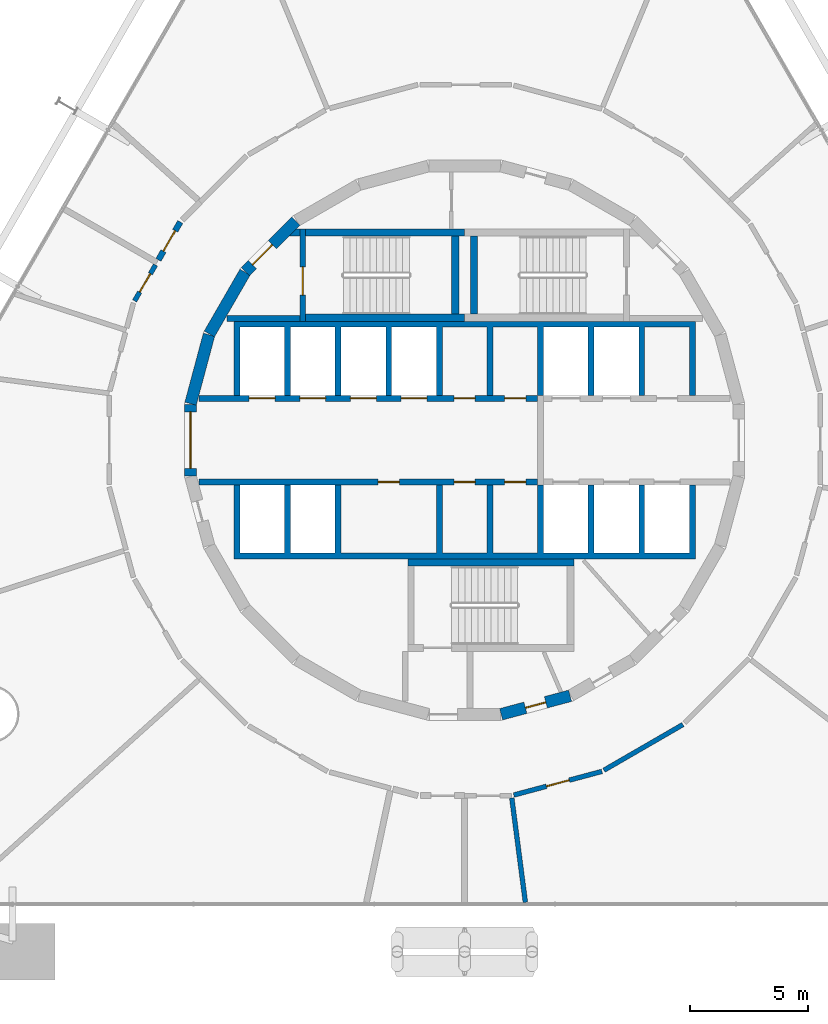
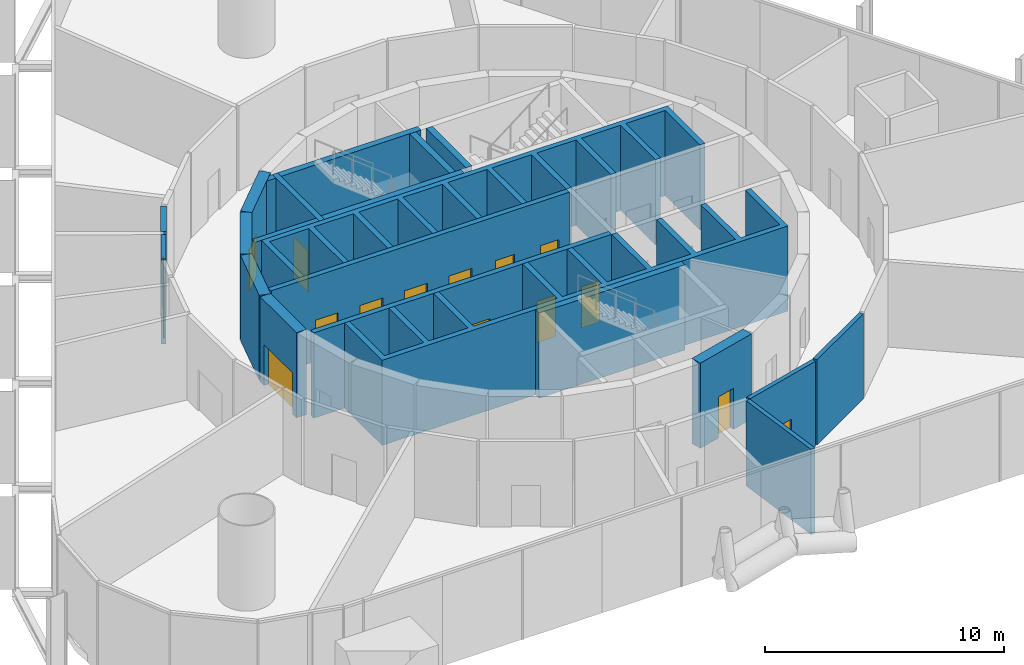
# One storey, part 14 of 17: 22 walls, 16 doors, 16 openings.
"""IFC4 building model written with IfcOpenShell, lengths in metres."""

import ifcopenshell
import ifcopenshell.guid

model = None  # the IFC model being written
_history = None  # IfcOwnerHistory: only IFC2X3 demands one
_inside = {}  # id of a spatial element -> (the spatial element, [elements in it])
_under = {}  # id of a project, library or spatial element -> (it, [spatial elements below it])
_declared = {}  # id of a project -> (the project, [libraries it declares])
_typed = {}  # id of a type object -> (the type object, [elements of that type])
_made_of = {}  # id of a material, layer set ... -> (it, [elements and type objects made of it])


def new_model(schema):
    """Start an empty IFC model of exactly this schema.

    Asked for "IFC4X3", IfcOpenShell would pick the latest addendum, in which some entities
    have other attributes; the version numbers below select the first issue.
    IFC2X3 requires an IfcOwnerHistory on every rooted entity: one is made here for all.
    """
    global model, _history
    if schema == "IFC4X3":
        model = ifcopenshell.file(schema_version=(4, 3, 0, 0))
    else:
        model = ifcopenshell.file(schema=schema)
    _inside.clear()
    _under.clear()
    _declared.clear()
    _typed.clear()
    _made_of.clear()
    _history = None
    if model.schema == "IFC2X3":
        org = make("IfcOrganization", Name="unknown")
        user = make(
            "IfcPersonAndOrganization",
            ThePerson=make("IfcPerson", FamilyName="unknown"),
            TheOrganization=org,
        )
        app = make(
            "IfcApplication",
            ApplicationDeveloper=org,
            Version="unknown",
            ApplicationFullName="unknown",
            ApplicationIdentifier="unknown",
        )
        _history = make(
            "IfcOwnerHistory",
            OwningUser=user,
            OwningApplication=app,
            ChangeAction="ADDED",
            CreationDate=0,
        )
    return model


def make(cls, **values):
    """One entity of the class cls with the attributes given. An attribute that is None is left unset."""
    return model.create_entity(
        cls, **{name: value for name, value in values.items() if value is not None}
    )


def rooted(cls, **values):
    """An entity with a GlobalId (a new one), such as an element, a storey or a relation."""
    return make(cls, GlobalId=ifcopenshell.guid.new(), OwnerHistory=_history, **values)


def si_unit(unit_type, name, prefix=None):
    """IfcSIUnit, for example si_unit("LENGTHUNIT", "METRE", prefix="MILLI")."""
    return make("IfcSIUnit", UnitType=unit_type, Prefix=prefix, Name=name)


def assignment(units):
    """IfcUnitAssignment: the units of a project."""
    return None if units is None else make("IfcUnitAssignment", Units=units)


def point(xyz):
    """IfcCartesianPoint."""
    return None if xyz is None else make("IfcCartesianPoint", Coordinates=xyz)


def direction(xyz):
    """IfcDirection."""
    return None if xyz is None else make("IfcDirection", DirectionRatios=xyz)


def frame(location, z_axis=None, x_axis=None):
    """IfcAxis2Placement3D, a coordinate frame: its origin and axes. An axis left out is left unset."""
    return make(
        "IfcAxis2Placement3D",
        Location=point(location),
        Axis=direction(z_axis),
        RefDirection=direction(x_axis),
    )


def frame_2d(location, x_axis=None):
    """IfcAxis2Placement2D, a coordinate frame in the plane: its origin and x axis."""
    return make(
        "IfcAxis2Placement2D", Location=point(location), RefDirection=direction(x_axis)
    )


def origin():
    """The frame at (0, 0, 0) with its axes left unset."""
    return frame((0.0, 0.0, 0.0))


def place(relative_to, where):
    """IfcLocalPlacement: puts the frame where relative to a parent placement (None: the world)."""
    return make(
        "IfcLocalPlacement", PlacementRelTo=relative_to, RelativePlacement=where
    )


def context(
    kind, dimensions, precision=None, world=None, true_north=None, identifier=None
):
    """IfcGeometricRepresentationContext, for example the 3D "Model" context."""
    return make(
        "IfcGeometricRepresentationContext",
        ContextIdentifier=identifier,
        ContextType=kind,
        CoordinateSpaceDimension=dimensions,
        Precision=precision,
        WorldCoordinateSystem=world,
        TrueNorth=true_north,
    )


def subcontext(parent, identifier, kind, view, scale=None):
    """IfcGeometricRepresentationSubContext, for example "Body" below "Model"."""
    return make(
        "IfcGeometricRepresentationSubContext",
        ContextIdentifier=identifier,
        ContextType=kind,
        ParentContext=parent,
        TargetScale=scale,
        TargetView=view,
    )


def project(units=None, contexts=None):
    """IfcProject with its units and contexts."""
    return rooted(
        "IfcProject",
        Name="project",
        RepresentationContexts=contexts,
        UnitsInContext=assignment(units),
    )


def spatial(cls, under=None, at=None, **own):
    """A site, building, storey or space (cls), placed at a placement, below another one or the project."""
    s = rooted(cls, ObjectPlacement=at, **own)
    if under is not None:
        _under.setdefault(under.id(), (under, []))[1].append(s)
    return s


def polyline(points):
    """IfcPolyline through the points."""
    return make("IfcPolyline", Points=[point(p) for p in points])


def profile(cls, at=None, kind="AREA", **sizes):
    """A parametric profile (cls). Its sizes go by their IFC names, for example OverallWidth=200.0."""
    return make(cls, ProfileType=kind, Position=at, **sizes)


def rectangle(**sizes):
    """IfcRectangleProfileDef."""
    return profile("IfcRectangleProfileDef", **sizes)


def outline(outer, holes=None, kind="AREA"):
    """IfcArbitraryClosedProfileDef: a profile drawn as a closed curve; with holes, ...WithVoids."""
    if holes is None:
        return make("IfcArbitraryClosedProfileDef", ProfileType=kind, OuterCurve=outer)
    return make(
        "IfcArbitraryProfileDefWithVoids",
        ProfileType=kind,
        OuterCurve=outer,
        InnerCurves=holes,
    )


def extrude(swept, where, along, depth):
    """IfcExtrudedAreaSolid: the profile swept, set in the frame where, extruded along a direction by depth."""
    return make(
        "IfcExtrudedAreaSolid",
        SweptArea=swept,
        Position=where,
        ExtrudedDirection=direction(along),
        Depth=depth,
    )


def shape(context_of_items, identifier, shape_type, items):
    """IfcShapeRepresentation: the items that make up one representation, for example the "Body"."""
    return make(
        "IfcShapeRepresentation",
        ContextOfItems=context_of_items,
        RepresentationIdentifier=identifier,
        RepresentationType=shape_type,
        Items=items,
    )


def material(Name=None, Category=None):
    """IfcMaterial."""
    return make("IfcMaterial", Name=Name, Category=Category)


def layer(
    of_material, thickness, ventilated=None, Name=None, Category=None, Priority=None
):
    """IfcMaterialLayer: one layer of a wall or slab, of a material (None: an air gap)."""
    return make(
        "IfcMaterialLayer",
        Material=of_material,
        LayerThickness=thickness,
        IsVentilated=ventilated,
        Name=Name,
        Category=Category,
        Priority=Priority,
    )


def layer_set(layers, Name=None):
    """IfcMaterialLayerSet."""
    return make("IfcMaterialLayerSet", MaterialLayers=layers, LayerSetName=Name)


def made_of(thing, what):
    """Note that an element or type object is made of a material, layer set ...; save() writes the relation."""
    if what is not None:
        _made_of.setdefault(what.id(), (what, []))[1].append(thing)
    return thing


def type_object(cls, material=None, **own):
    """A type object (cls), such as IfcWallType, which elements share."""
    return made_of(rooted(cls, **own), material)


def element(
    cls,
    number,
    at=None,
    inside=None,
    cuts=None,
    type_object=None,
    material=None,
    context=None,
    identifier="Body",
    shape_type=None,
    held_by="IfcProductDefinitionShape",
    body=None,
    shapes=None,
    **own,
):
    """One element of the class cls, such as IfcWall. Its Tag is "e" and its number.

    at: its placement. inside: the storey or other place that contains it. cuts: it is an
    opening in that element (IfcRelVoidsElement). A single representation is given by context,
    identifier, shape_type and body (its items); several are given by shapes. held_by: the class
    of the entity that holds the representations. save() writes the other relations.
    """
    e = rooted(cls, Tag="e%d" % number, ObjectPlacement=at, **own)
    if body is not None:
        shapes = [shape(context, identifier, shape_type, body)]
    if shapes is not None:
        e.Representation = make(held_by, Representations=shapes)
    if inside is not None:
        _inside.setdefault(inside.id(), (inside, []))[1].append(e)
    if cuts is not None:
        rooted(
            "IfcRelVoidsElement", RelatingBuildingElement=cuts, RelatedOpeningElement=e
        )
    if type_object is not None:
        _typed.setdefault(type_object.id(), (type_object, []))[1].append(e)
    return made_of(e, material)


def fill(opening, filler):
    """IfcRelFillsElement: the door or window that sits in an opening."""
    return rooted(
        "IfcRelFillsElement",
        RelatingOpeningElement=opening,
        RelatedBuildingElement=filler,
    )


def aggregate(whole, parts):
    """IfcRelAggregates: a whole, such as a stair, and the parts it consists of."""
    return rooted("IfcRelAggregates", RelatingObject=whole, RelatedObjects=parts)


def save(model, path):
    """Write the relations noted so far, then the file.

    IfcRelAggregates (storeys below a building ...), IfcRelContainedInSpatialStructure (elements
    in a storey), IfcRelDefinesByType, IfcRelAssociatesMaterial and IfcRelDeclares: one each for
    every whole, place, type object, material and project.
    """
    for whole, parts in _under.values():
        aggregate(whole, parts)
    for where, things in _inside.values():
        rooted(
            "IfcRelContainedInSpatialStructure",
            RelatedElements=things,
            RelatingStructure=where,
        )
    for kind, things in _typed.values():
        rooted("IfcRelDefinesByType", RelatedObjects=things, RelatingType=kind)
    for what, things in _made_of.values():
        rooted("IfcRelAssociatesMaterial", RelatedObjects=things, RelatingMaterial=what)
    for by, libraries in _declared.values():
        rooted("IfcRelDeclares", RelatingContext=by, RelatedDefinitions=libraries)
    model.write(path)


model = new_model("IFC4")

# Units and contexts
model_context = context("Model", 3, precision=1e-05, world=origin(), true_north=direction((0.0, 1.0)))
body_context = subcontext(model_context, "Body", "Model", "MODEL_VIEW")
ifc_project = project(units=[si_unit("LENGTHUNIT", "METRE"), si_unit("AREAUNIT", "SQUARE_METRE"), si_unit("VOLUMEUNIT", "CUBIC_METRE"), si_unit("PLANEANGLEUNIT", "RADIAN"), si_unit("MASSUNIT", "GRAM", prefix="KILO")], contexts=[model_context])

# Site, building, storey
site_placement = place(None, origin())
site = spatial("IfcSite", under=ifc_project, at=site_placement, CompositionType="ELEMENT")
building_placement = place(site_placement, origin())
building = spatial("IfcBuilding", under=site, at=building_placement, Name="Spindle Arch Residences", CompositionType="ELEMENT")
storey_placement = place(building_placement, frame((0.0, 0.0, 28.199951171875)))
storey = spatial("IfcBuildingStorey", under=building, at=storey_placement, Name="L05", CompositionType="ELEMENT", Elevation=28.199951171875)

# Wall, opening, door
ifc_material_1 = material(Name="Concrete C50/60", Category="concrete")
ifc_layer_1 = layer(ifc_material_1, 0.5)
ifc_layer_set_1 = layer_set([ifc_layer_1], Name="Core outline wall 500")
wall_type_1 = type_object("IfcWallType", Name="Core outline wall 500", PredefinedType="SHEAR", material=ifc_layer_set_1)
wall_1_placement = place(storey_placement, frame((1.5498046875, -11.642822265625, 0.0), z_axis=(0.0, 0.0, 1.0), x_axis=(0.965948410781, 0.258734743916, 0.0)))
wall_1 = element("IfcWall", 1, at=wall_1_placement, inside=storey, type_object=wall_type_1, Name="Core outline wall 1", PredefinedType="SHEAR", context=body_context, shape_type="SweptSolid", body=[
    extrude(rectangle(XDim=3.03271484375, YDim=0.5, at=frame_2d((1.516357421875, 0.0))), origin(), (0.0, 0.0, 1.0), 4.35009765625),
])
opening_1_placement = place(wall_1_placement, frame((1.06640625, 0.0, 0.0)))
opening_1 = element("IfcOpeningElement", 2, at=opening_1_placement, cuts=wall_1, Name="Opening L05-WD09", PredefinedType="OPENING", context=body_context, shape_type="SweptSolid", body=[
    extrude(rectangle(XDim=0.89990234375, YDim=2.10009765625, at=frame_2d((0.449951171875, 1.050048828125))), frame((0.0, 0.260009765625, 0.0), z_axis=(0.0, -1.0, 0.0), x_axis=(1.0, 0.0, 0.0)), (0.0, 0.0, 1.0), 0.52001953125),
])
ifc_material_2 = material(Name="Steel, fire-resisting door", Category="steel")
door_type_1 = type_object("IfcDoorType", Name="Service room door 900x2100", OperationType="SINGLE_SWING_LEFT", PredefinedType="DOOR", material=ifc_material_2)
door_1_placement = place(opening_1_placement, origin())
door_1 = element("IfcDoor", 3, at=door_1_placement, inside=storey, type_object=door_type_1, Name="Service room door L05-WD09", OperationType="SINGLE_SWING_RIGHT", OverallHeight=2.10009765625, OverallWidth=0.89990234375, PredefinedType="DOOR", context=body_context, shape_type="SweptSolid", body=[
    extrude(rectangle(XDim=0.89990234375, YDim=2.10009765625, at=frame_2d((0.449951171875, 1.050048828125))), frame((0.0, 0.02490234375, 0.0), z_axis=(0.0, -1.0, 0.0), x_axis=(1.0, 0.0, 0.0)), (0.0, 0.0, 1.0), 0.050048828125),
])
fill(opening_1, door_1)

wall_2_placement = place(storey_placement, frame((-7.163818359375, 9.30810546875, 0.0), z_axis=(0.0, 0.0, 1.0), x_axis=(-0.707106781187, -0.707106781187, 0.0)))
wall_2 = element("IfcWall", 4, at=wall_2_placement, inside=storey, type_object=wall_type_1, Name="Core outline wall 15", PredefinedType="SHEAR", context=body_context, shape_type="SweptSolid", body=[
    extrude(rectangle(XDim=3.032470703125, YDim=0.5, at=frame_2d((1.51611328125, 0.0))), origin(), (0.0, 0.0, 1.0), 4.35009765625),
])
opening_2_placement = place(wall_2_placement, frame((1.416259765625, 0.0, 0.0)))
opening_2 = element("IfcOpeningElement", 5, at=opening_2_placement, cuts=wall_2, Name="Opening L05-AD02", PredefinedType="OPENING", context=body_context, shape_type="SweptSolid", body=[
    extrude(rectangle(XDim=1.199951171875, YDim=2.10009765625, at=frame_2d((0.60009765625, 1.050048828125))), frame((0.0, 0.260009765625, 0.0), z_axis=(0.0, -1.0, 0.0), x_axis=(1.0, 0.0, 0.0)), (0.0, 0.0, 1.0), 0.52001953125),
])
ifc_material_3 = material(Name="Steel, fire-resisting door", Category="steel")
door_type_2 = type_object("IfcDoorType", Name="Stair airlock door 1200x2100", OperationType="SINGLE_SWING_LEFT", PredefinedType="DOOR", material=ifc_material_3)
door_2_placement = place(opening_2_placement, origin())
door_2 = element("IfcDoor", 6, at=door_2_placement, inside=storey, type_object=door_type_2, Name="Stair airlock door L05-AD02", OperationType="SINGLE_SWING_RIGHT", OverallHeight=2.10009765625, OverallWidth=1.199951171875, PredefinedType="DOOR", context=body_context, shape_type="SweptSolid", body=[
    extrude(rectangle(XDim=1.199951171875, YDim=2.10009765625, at=frame_2d((0.60009765625, 1.050048828125))), frame((0.0, 0.02490234375, 0.0), z_axis=(0.0, -1.0, 0.0), x_axis=(1.0, 0.0, 0.0)), (0.0, 0.0, 1.0), 0.050048828125),
])
fill(opening_2, door_2)

# Walls
for number, where, z_axis, x_axis, name in (
    (7, (-9.32861328125, 7.13671875, 0.0), (0.0, 0.0, 1.0), (-0.500087131594, -0.865975092491, 0.0), "Core outline wall 16"),
    (8, (-10.858154296875, 4.479248046875, 0.0), (0.0, 0.0, 1.0), (-0.258734743916, -0.965948410781, 0.0), "Core outline wall 17"),
):
    element("IfcWall", number, at=place(storey_placement, frame(where, z_axis=z_axis, x_axis=x_axis)), inside=storey, type_object=wall_type_1, Name=name, PredefinedType="SHEAR", context=body_context, shape_type="SweptSolid", body=[
        extrude(rectangle(XDim=3.03271484375, YDim=0.5, at=frame_2d((1.516357421875, 0.0))), origin(), (0.0, 0.0, 1.0), 4.35009765625),
    ])

# Wall, opening, door
wall_3_placement = place(storey_placement, frame((-11.647216796875, 1.516357421875, 0.0), z_axis=(0.0, 0.0, 1.0), x_axis=(0.0, -1.0, 0.0)))
wall_3 = element("IfcWall", 9, at=wall_3_placement, inside=storey, type_object=wall_type_1, Name="Core outline wall 18", PredefinedType="SHEAR", context=body_context, shape_type="SweptSolid", body=[
    extrude(rectangle(XDim=3.03271484375, YDim=0.5, at=frame_2d((1.516357421875, 0.0))), origin(), (0.0, 0.0, 1.0), 4.35009765625),
])
opening_3_placement = place(wall_3_placement, frame((0.31640625, 0.0, 0.0)))
opening_3 = element("IfcOpeningElement", 10, at=opening_3_placement, cuts=wall_3, Name="Opening L05-LE01", PredefinedType="OPENING", context=body_context, shape_type="SweptSolid", body=[
    extrude(rectangle(XDim=2.39990234375, YDim=2.10009765625, at=frame_2d((1.199951171875, 1.050048828125))), frame((0.0, 0.260009765625, 0.0), z_axis=(0.0, -1.0, 0.0), x_axis=(1.0, 0.0, 0.0)), (0.0, 0.0, 1.0), 0.52001953125),
])
ifc_material_4 = material(Name="Steel, fire-resisting door", Category="steel")
door_type_3 = type_object("IfcDoorType", Name="Lift lobby entrance door 2400x2100", OperationType="DOUBLE_DOOR_SINGLE_SWING", PredefinedType="DOOR", material=ifc_material_4)
door_3_placement = place(opening_3_placement, origin())
door_3 = element("IfcDoor", 11, at=door_3_placement, inside=storey, type_object=door_type_3, Name="Lift lobby entrance door L05-LE01", OperationType="DOUBLE_DOOR_SINGLE_SWING", OverallHeight=2.10009765625, OverallWidth=2.39990234375, PredefinedType="DOOR", context=body_context, shape_type="SweptSolid", body=[
    extrude(rectangle(XDim=2.39990234375, YDim=2.10009765625, at=frame_2d((1.199951171875, 1.050048828125))), frame((0.0, 0.02490234375, 0.0), z_axis=(0.0, -1.0, 0.0), x_axis=(1.0, 0.0, 0.0)), (0.0, 0.0, 1.0), 0.050048828125),
])
fill(opening_3, door_3)

# Wall, openings, doors
ifc_material_5 = material(Name="Concrete C50/60", Category="concrete")
ifc_layer_2 = layer(ifc_material_5, 0.25)
ifc_layer_set_2 = layer_set([ifc_layer_2], Name="Lift shaft wall 250")
wall_type_2 = type_object("IfcWallType", Name="Lift shaft wall 250", PredefinedType="SHEAR", material=ifc_layer_set_2)
wall_4_placement = place(storey_placement, frame((-11.280029296875, 1.77490234375, 0.0), z_axis=(0.0, 0.0, 1.0), x_axis=(1.0, 0.0, 0.0)))
wall_4 = element("IfcWall", 12, at=wall_4_placement, inside=storey, type_object=wall_type_2, Name="Lift shaft front wall NW", PredefinedType="SHEAR", context=body_context, shape_type="SweptSolid", body=[
    extrude(rectangle(XDim=14.380126953125, YDim=0.25, at=frame_2d((7.18994140625, 0.0))), origin(), (0.0, 0.0, 1.0), 4.35009765625),
])
opening_4_placement = place(wall_4_placement, frame((2.1298828125, 0.0, 0.0)))
opening_4 = element("IfcOpeningElement", 13, at=opening_4_placement, cuts=wall_4, Name="Opening L05-LD01", PredefinedType="OPENING", context=body_context, shape_type="SweptSolid", body=[
    extrude(rectangle(XDim=1.10009765625, YDim=2.10009765625, at=frame_2d((0.550048828125, 1.050048828125))), frame((0.0, 0.135009765625, 0.0), z_axis=(0.0, -1.0, 0.0), x_axis=(1.0, 0.0, 0.0)), (0.0, 0.0, 1.0), 0.27001953125),
])
opening_5_placement = place(wall_4_placement, frame((4.280029296875, 0.0, 0.0)))
opening_5 = element("IfcOpeningElement", 14, at=opening_5_placement, cuts=wall_4, Name="Opening L05-LD02", PredefinedType="OPENING", context=body_context, shape_type="SweptSolid", body=[
    extrude(rectangle(XDim=1.10009765625, YDim=2.10009765625, at=frame_2d((0.550048828125, 1.050048828125))), frame((0.0, 0.135009765625, 0.0), z_axis=(0.0, -1.0, 0.0), x_axis=(1.0, 0.0, 0.0)), (0.0, 0.0, 1.0), 0.27001953125),
])
opening_6_placement = place(wall_4_placement, frame((6.429931640625, 0.0, 0.0)))
opening_6 = element("IfcOpeningElement", 15, at=opening_6_placement, cuts=wall_4, Name="Opening L05-LD03", PredefinedType="OPENING", context=body_context, shape_type="SweptSolid", body=[
    extrude(rectangle(XDim=1.10009765625, YDim=2.10009765625, at=frame_2d((0.550048828125, 1.050048828125))), frame((0.0, 0.135009765625, 0.0), z_axis=(0.0, -1.0, 0.0), x_axis=(1.0, 0.0, 0.0)), (0.0, 0.0, 1.0), 0.27001953125),
])
opening_7_placement = place(wall_4_placement, frame((8.580078125, 0.0, 0.0)))
opening_7 = element("IfcOpeningElement", 16, at=opening_7_placement, cuts=wall_4, Name="Opening L05-LD04", PredefinedType="OPENING", context=body_context, shape_type="SweptSolid", body=[
    extrude(rectangle(XDim=1.10009765625, YDim=2.10009765625, at=frame_2d((0.550048828125, 1.050048828125))), frame((0.0, 0.135009765625, 0.0), z_axis=(0.0, -1.0, 0.0), x_axis=(1.0, 0.0, 0.0)), (0.0, 0.0, 1.0), 0.27001953125),
])
opening_8_placement = place(wall_4_placement, frame((10.830078125, 0.0, 0.0)))
opening_8 = element("IfcOpeningElement", 17, at=opening_8_placement, cuts=wall_4, Name="Opening L05-WD01", PredefinedType="OPENING", context=body_context, shape_type="SweptSolid", body=[
    extrude(rectangle(XDim=0.89990234375, YDim=2.10009765625, at=frame_2d((0.449951171875, 1.050048828125))), frame((0.0, 0.135009765625, 0.0), z_axis=(0.0, -1.0, 0.0), x_axis=(1.0, 0.0, 0.0)), (0.0, 0.0, 1.0), 0.27001953125),
])
opening_9_placement = place(wall_4_placement, frame((12.97998046875, 0.0, 0.0)))
opening_9 = element("IfcOpeningElement", 18, at=opening_9_placement, cuts=wall_4, Name="Opening L05-WD02", PredefinedType="OPENING", context=body_context, shape_type="SweptSolid", body=[
    extrude(rectangle(XDim=0.89990234375, YDim=2.10009765625, at=frame_2d((0.449951171875, 1.050048828125))), frame((0.0, 0.135009765625, 0.0), z_axis=(0.0, -1.0, 0.0), x_axis=(1.0, 0.0, 0.0)), (0.0, 0.0, 1.0), 0.27001953125),
])
ifc_material_6 = material(Name="Steel, fire-resisting landing door", Category="steel")
door_type_4 = type_object("IfcDoorType", Name="Lift landing door 1100x2100", OperationType="DOUBLE_DOOR_SLIDING", PredefinedType="DOOR", material=ifc_material_6)
door_4_placement = place(opening_4_placement, origin())
door_4 = element("IfcDoor", 19, at=door_4_placement, inside=storey, type_object=door_type_4, Name="Lift landing door L05-LD01", OperationType="DOUBLE_DOOR_SLIDING", OverallHeight=2.10009765625, OverallWidth=1.10009765625, PredefinedType="DOOR", context=body_context, shape_type="SweptSolid", body=[
    extrude(rectangle(XDim=1.10009765625, YDim=2.10009765625, at=frame_2d((0.550048828125, 1.050048828125))), frame((0.0, 0.02490234375, 0.0), z_axis=(0.0, -1.0, 0.0), x_axis=(1.0, 0.0, 0.0)), (0.0, 0.0, 1.0), 0.050048828125),
])
fill(opening_4, door_4)
door_5_placement = place(opening_5_placement, origin())
door_5 = element("IfcDoor", 20, at=door_5_placement, inside=storey, type_object=door_type_4, Name="Lift landing door L05-LD02", OperationType="DOUBLE_DOOR_SLIDING", OverallHeight=2.10009765625, OverallWidth=1.10009765625, PredefinedType="DOOR", context=body_context, shape_type="SweptSolid", body=[
    extrude(rectangle(XDim=1.10009765625, YDim=2.10009765625, at=frame_2d((0.550048828125, 1.050048828125))), frame((0.0, 0.02490234375, 0.0), z_axis=(0.0, -1.0, 0.0), x_axis=(1.0, 0.0, 0.0)), (0.0, 0.0, 1.0), 0.050048828125),
])
fill(opening_5, door_5)
door_6_placement = place(opening_6_placement, origin())
door_6 = element("IfcDoor", 21, at=door_6_placement, inside=storey, type_object=door_type_4, Name="Lift landing door L05-LD03", OperationType="DOUBLE_DOOR_SLIDING", OverallHeight=2.10009765625, OverallWidth=1.10009765625, PredefinedType="DOOR", context=body_context, shape_type="SweptSolid", body=[
    extrude(rectangle(XDim=1.10009765625, YDim=2.10009765625, at=frame_2d((0.550048828125, 1.050048828125))), frame((0.0, 0.02490234375, 0.0), z_axis=(0.0, -1.0, 0.0), x_axis=(1.0, 0.0, 0.0)), (0.0, 0.0, 1.0), 0.050048828125),
])
fill(opening_6, door_6)
door_7_placement = place(opening_7_placement, origin())
door_7 = element("IfcDoor", 22, at=door_7_placement, inside=storey, type_object=door_type_4, Name="Lift landing door L05-LD04", OperationType="DOUBLE_DOOR_SLIDING", OverallHeight=2.10009765625, OverallWidth=1.10009765625, PredefinedType="DOOR", context=body_context, shape_type="SweptSolid", body=[
    extrude(rectangle(XDim=1.10009765625, YDim=2.10009765625, at=frame_2d((0.550048828125, 1.050048828125))), frame((0.0, 0.02490234375, 0.0), z_axis=(0.0, -1.0, 0.0), x_axis=(1.0, 0.0, 0.0)), (0.0, 0.0, 1.0), 0.050048828125),
])
fill(opening_7, door_7)
door_8_placement = place(opening_8_placement, origin())
door_8 = element("IfcDoor", 23, at=door_8_placement, inside=storey, type_object=door_type_1, Name="Service room door L05-WD01", OperationType="SINGLE_SWING_RIGHT", OverallHeight=2.10009765625, OverallWidth=0.89990234375, PredefinedType="DOOR", context=body_context, shape_type="SweptSolid", body=[
    extrude(rectangle(XDim=0.89990234375, YDim=2.10009765625, at=frame_2d((0.449951171875, 1.050048828125))), frame((0.0, 0.02490234375, 0.0), z_axis=(0.0, -1.0, 0.0), x_axis=(1.0, 0.0, 0.0)), (0.0, 0.0, 1.0), 0.050048828125),
])
fill(opening_8, door_8)
door_9_placement = place(opening_9_placement, origin())
door_9 = element("IfcDoor", 24, at=door_9_placement, inside=storey, type_object=door_type_1, Name="Service room door L05-WD02", OperationType="SINGLE_SWING_LEFT", OverallHeight=2.10009765625, OverallWidth=0.89990234375, PredefinedType="DOOR", context=body_context, shape_type="SweptSolid", body=[
    extrude(rectangle(XDim=0.89990234375, YDim=2.10009765625, at=frame_2d((0.449951171875, 1.050048828125))), frame((0.0, 0.02490234375, 0.0), z_axis=(0.0, -1.0, 0.0), x_axis=(1.0, 0.0, 0.0)), (0.0, 0.0, 1.0), 0.050048828125),
])
fill(opening_9, door_9)

wall_5_placement = place(storey_placement, frame((-11.280029296875, -1.77490234375, 0.0), z_axis=(0.0, 0.0, 1.0), x_axis=(1.0, 0.0, 0.0)))
wall_5 = element("IfcWall", 25, at=wall_5_placement, inside=storey, type_object=wall_type_2, Name="Lift shaft front wall SW", PredefinedType="SHEAR", context=body_context, shape_type="SweptSolid", body=[
    extrude(rectangle(XDim=14.380126953125, YDim=0.25, at=frame_2d((7.18994140625, 0.0))), origin(), (0.0, 0.0, 1.0), 4.35009765625),
])
opening_10_placement = place(wall_5_placement, frame((7.60498046875, 0.0, 0.0)))
opening_10 = element("IfcOpeningElement", 26, at=opening_10_placement, cuts=wall_5, Name="Opening L05-WD04", PredefinedType="OPENING", context=body_context, shape_type="SweptSolid", body=[
    extrude(rectangle(XDim=0.89990234375, YDim=2.10009765625, at=frame_2d((0.449951171875, 1.050048828125))), frame((0.0, 0.135009765625, 0.0), z_axis=(0.0, -1.0, 0.0), x_axis=(1.0, 0.0, 0.0)), (0.0, 0.0, 1.0), 0.27001953125),
])
opening_11_placement = place(wall_5_placement, frame((10.830078125, 0.0, 0.0)))
opening_11 = element("IfcOpeningElement", 27, at=opening_11_placement, cuts=wall_5, Name="Opening L05-WD05", PredefinedType="OPENING", context=body_context, shape_type="SweptSolid", body=[
    extrude(rectangle(XDim=0.89990234375, YDim=2.10009765625, at=frame_2d((0.449951171875, 1.050048828125))), frame((0.0, 0.135009765625, 0.0), z_axis=(0.0, -1.0, 0.0), x_axis=(1.0, 0.0, 0.0)), (0.0, 0.0, 1.0), 0.27001953125),
])
opening_12_placement = place(wall_5_placement, frame((12.97998046875, 0.0, 0.0)))
opening_12 = element("IfcOpeningElement", 28, at=opening_12_placement, cuts=wall_5, Name="Opening L05-WD06", PredefinedType="OPENING", context=body_context, shape_type="SweptSolid", body=[
    extrude(rectangle(XDim=0.89990234375, YDim=2.10009765625, at=frame_2d((0.449951171875, 1.050048828125))), frame((0.0, 0.135009765625, 0.0), z_axis=(0.0, -1.0, 0.0), x_axis=(1.0, 0.0, 0.0)), (0.0, 0.0, 1.0), 0.27001953125),
])
door_10_placement = place(opening_10_placement, origin())
door_10 = element("IfcDoor", 29, at=door_10_placement, inside=storey, type_object=door_type_1, Name="Service room door L05-WD04", OperationType="SINGLE_SWING_LEFT", OverallHeight=2.10009765625, OverallWidth=0.89990234375, PredefinedType="DOOR", context=body_context, shape_type="SweptSolid", body=[
    extrude(rectangle(XDim=0.89990234375, YDim=2.10009765625, at=frame_2d((0.449951171875, 1.050048828125))), frame((0.0, 0.02490234375, 0.0), z_axis=(0.0, -1.0, 0.0), x_axis=(1.0, 0.0, 0.0)), (0.0, 0.0, 1.0), 0.050048828125),
])
fill(opening_10, door_10)
door_11_placement = place(opening_11_placement, origin())
door_11 = element("IfcDoor", 30, at=door_11_placement, inside=storey, type_object=door_type_1, Name="Service room door L05-WD05", OperationType="SINGLE_SWING_RIGHT", OverallHeight=2.10009765625, OverallWidth=0.89990234375, PredefinedType="DOOR", context=body_context, shape_type="SweptSolid", body=[
    extrude(rectangle(XDim=0.89990234375, YDim=2.10009765625, at=frame_2d((0.449951171875, 1.050048828125))), frame((0.0, 0.02490234375, 0.0), z_axis=(0.0, -1.0, 0.0), x_axis=(1.0, 0.0, 0.0)), (0.0, 0.0, 1.0), 0.050048828125),
])
fill(opening_11, door_11)
door_12_placement = place(opening_12_placement, origin())
door_12 = element("IfcDoor", 31, at=door_12_placement, inside=storey, type_object=door_type_1, Name="Service room door L05-WD06", OperationType="SINGLE_SWING_LEFT", OverallHeight=2.10009765625, OverallWidth=0.89990234375, PredefinedType="DOOR", context=body_context, shape_type="SweptSolid", body=[
    extrude(rectangle(XDim=0.89990234375, YDim=2.10009765625, at=frame_2d((0.449951171875, 1.050048828125))), frame((0.0, 0.02490234375, 0.0), z_axis=(0.0, -1.0, 0.0), x_axis=(1.0, 0.0, 0.0)), (0.0, 0.0, 1.0), 0.050048828125),
])
fill(opening_12, door_12)

# Walls
ifc_material_7 = material(Name="Concrete C50/60", Category="concrete")
wall_type_3 = type_object("IfcWallType", Name="Lift shaft wall profile", PredefinedType="SHEAR", material=ifc_material_7)
wall_6_placement = place(storey_placement, origin())
element("IfcWall", 32, at=wall_6_placement, inside=storey, type_object=wall_type_3, Name="Lift shaft walls N", PredefinedType="SHEAR", context=body_context, shape_type="SweptSolid", body=[
    extrude(outline(polyline([(-9.550048828125, 4.800048828125), (-7.64990234375, 4.800048828125), (-7.64990234375, 1.89990234375), (-7.39990234375, 1.89990234375), (-7.39990234375, 4.800048828125), (-5.5, 4.800048828125), (-5.5, 1.89990234375), (-5.25, 1.89990234375), (-5.25, 4.800048828125), (-3.35009765625, 4.800048828125), (-3.35009765625, 1.89990234375), (-3.10009765625, 1.89990234375), (-3.10009765625, 4.800048828125), (-1.199951171875, 4.800048828125), (-1.199951171875, 1.89990234375), (-0.949951171875, 1.89990234375), (-0.949951171875, 4.800048828125), (0.949951171875, 4.800048828125), (0.949951171875, 1.89990234375), (1.199951171875, 1.89990234375), (1.199951171875, 4.800048828125), (3.10009765625, 4.800048828125), (3.10009765625, 1.89990234375), (3.35009765625, 1.89990234375), (3.35009765625, 4.800048828125), (5.25, 4.800048828125), (5.25, 1.89990234375), (5.5, 1.89990234375), (5.5, 4.800048828125), (7.39990234375, 4.800048828125), (7.39990234375, 1.89990234375), (7.64990234375, 1.89990234375), (7.64990234375, 4.800048828125), (9.550048828125, 4.800048828125), (9.550048828125, 1.89990234375), (9.800048828125, 1.89990234375), (9.800048828125, 4.800048828125), (9.800048828125, 5.050048828125), (-9.800048828125, 5.050048828125), (-9.800048828125, 4.800048828125), (-9.800048828125, 1.89990234375), (-9.550048828125, 1.89990234375), (-9.550048828125, 4.800048828125)])), origin(), (0.0, 0.0, 1.0), 4.35009765625),
])
wall_7_placement = place(storey_placement, origin())
element("IfcWall", 33, at=wall_7_placement, inside=storey, type_object=wall_type_3, Name="Lift shaft walls S", PredefinedType="SHEAR", context=body_context, shape_type="SweptSolid", body=[
    extrude(outline(polyline([(9.800048828125, -5.050048828125), (9.800048828125, -4.800048828125), (9.800048828125, -1.89990234375), (9.550048828125, -1.89990234375), (9.550048828125, -4.800048828125), (7.64990234375, -4.800048828125), (7.64990234375, -1.89990234375), (7.39990234375, -1.89990234375), (7.39990234375, -4.800048828125), (5.5, -4.800048828125), (5.5, -1.89990234375), (5.25, -1.89990234375), (5.25, -4.800048828125), (3.35009765625, -4.800048828125), (3.35009765625, -1.89990234375), (3.10009765625, -1.89990234375), (3.10009765625, -4.800048828125), (1.199951171875, -4.800048828125), (1.199951171875, -1.89990234375), (0.949951171875, -1.89990234375), (0.949951171875, -4.800048828125), (-0.949951171875, -4.800048828125), (-0.949951171875, -1.89990234375), (-1.199951171875, -1.89990234375), (-1.199951171875, -4.800048828125), (-5.25, -4.800048828125), (-5.25, -1.89990234375), (-5.5, -1.89990234375), (-5.5, -4.800048828125), (-7.39990234375, -4.800048828125), (-7.39990234375, -1.89990234375), (-7.64990234375, -1.89990234375), (-7.64990234375, -4.800048828125), (-9.550048828125, -4.800048828125), (-9.550048828125, -1.89990234375), (-9.800048828125, -1.89990234375), (-9.800048828125, -4.800048828125), (-9.800048828125, -5.050048828125), (9.800048828125, -5.050048828125)])), origin(), (0.0, 0.0, 1.0), 4.35009765625),
])

# Wall, opening, door
ifc_material_8 = material(Name="Concrete C25/30 wall", Category="concrete")
ifc_layer_3 = layer(ifc_material_8, 0.25)
ifc_layer_set_3 = layer_set([ifc_layer_3], Name="Partition EI 120 250 store")
wall_type_4 = type_object("IfcWallType", Name="Partition EI 120 250 store", PredefinedType="PARTITIONING", material=ifc_layer_set_3)
wall_8_placement = place(storey_placement, frame((-12.080078125, 9.27001953125, 0.0), z_axis=(0.0, 0.0, 1.0), x_axis=(-0.498809049979, -0.86671190811, 0.0)))
wall_8 = element("IfcWall", 34, at=wall_8_placement, inside=storey, type_object=wall_type_4, Name="L05-W013", PredefinedType="PARTITIONING", context=body_context, shape_type="SweptSolid", body=[
    extrude(rectangle(XDim=1.859375, YDim=0.25, at=frame_2d((0.9296875, 0.0))), origin(), (0.0, 0.0, 1.0), 4.35009765625),
])
opening_13_placement = place(wall_8_placement, frame((0.4296875, 0.0, 0.0)))
opening_13 = element("IfcOpeningElement", 35, at=opening_13_placement, cuts=wall_8, Name="Opening L05-D13", PredefinedType="OPENING", context=body_context, shape_type="SweptSolid", body=[
    extrude(rectangle(XDim=1.0, YDim=2.10009765625, at=frame_2d((0.5, 1.050048828125))), frame((0.0, 0.135009765625, 0.0), z_axis=(0.0, -1.0, 0.0), x_axis=(1.0, 0.0, 0.0)), (0.0, 0.0, 1.0), 0.27001953125),
])
ifc_material_9 = material(Name="Steel door leaf, painted", Category="steel")
door_type_5 = type_object("IfcDoorType", Name="Door 1000x2100 EI 60", OperationType="SINGLE_SWING_LEFT", PredefinedType="DOOR", material=ifc_material_9)
door_13_placement = place(opening_13_placement, origin())
door_13 = element("IfcDoor", 36, at=door_13_placement, inside=storey, type_object=door_type_5, Name="L05-D13", OperationType="SINGLE_SWING_LEFT", OverallHeight=2.10009765625, OverallWidth=1.0, PredefinedType="DOOR", context=body_context, shape_type="SweptSolid", body=[
    extrude(rectangle(XDim=1.0, YDim=2.10009765625, at=frame_2d((0.5, 1.050048828125))), frame((0.0, 0.02490234375, 0.0), z_axis=(0.0, -1.0, 0.0), x_axis=(1.0, 0.0, 0.0)), (0.0, 0.0, 1.0), 0.050048828125),
])
fill(opening_13, door_13)

ifc_material_10 = material(Name="Gypsum board partition on steel studs", Category="steel")
ifc_layer_4 = layer(ifc_material_10, 0.199951171875)
ifc_layer_set_4 = layer_set([ifc_layer_4], Name="Partition EI 60 200 amenity")
wall_type_5 = type_object("IfcWallType", Name="Partition EI 60 200 amenity", PredefinedType="PARTITIONING", material=ifc_layer_set_4)
wall_9_placement = place(storey_placement, frame((-13.1328125, 7.44189453125, 0.0), z_axis=(0.0, 0.0, 1.0), x_axis=(-0.502666148297, -0.864480620579, 0.0)))
wall_9 = element("IfcWall", 37, at=wall_9_placement, inside=storey, type_object=wall_type_5, Name="L05-W011", PredefinedType="PARTITIONING", context=body_context, shape_type="SweptSolid", body=[
    extrude(rectangle(XDim=1.764404296875, YDim=0.199951171875, at=frame_2d((0.88232421875, 0.0))), origin(), (0.0, 0.0, 1.0), 4.35009765625),
])
opening_14_placement = place(wall_9_placement, frame((0.432373046875, 0.0, 0.0)))
opening_14 = element("IfcOpeningElement", 38, at=opening_14_placement, cuts=wall_9, Name="Opening L05-D11", PredefinedType="OPENING", context=body_context, shape_type="SweptSolid", body=[
    extrude(rectangle(XDim=0.89990234375, YDim=2.10009765625, at=frame_2d((0.449951171875, 1.050048828125))), frame((0.0, 0.10986328125, 0.0), z_axis=(0.0, -1.0, 0.0), x_axis=(1.0, 0.0, 0.0)), (0.0, 0.0, 1.0), 0.219970703125),
])
ifc_material_11 = material(Name="Timber door leaf", Category="wood")
door_type_6 = type_object("IfcDoorType", Name="Door 900x2100 EI 30", OperationType="SINGLE_SWING_LEFT", PredefinedType="DOOR", material=ifc_material_11)
door_14_placement = place(opening_14_placement, origin())
door_14 = element("IfcDoor", 39, at=door_14_placement, inside=storey, type_object=door_type_6, Name="L05-D11", OperationType="SINGLE_SWING_LEFT", OverallHeight=2.10009765625, OverallWidth=0.89990234375, PredefinedType="DOOR", context=body_context, shape_type="SweptSolid", body=[
    extrude(rectangle(XDim=0.89990234375, YDim=2.10009765625, at=frame_2d((0.449951171875, 1.050048828125))), frame((0.0, 0.02490234375, 0.0), z_axis=(0.0, -1.0, 0.0), x_axis=(1.0, 0.0, 0.0)), (0.0, 0.0, 1.0), 0.050048828125),
])
fill(opening_14, door_14)

# Wall
wall_10_placement = place(storey_placement, frame((2.0029296875, -15.19921875, 0.0), z_axis=(0.0, 0.0, 1.0), x_axis=(0.129170993983, -0.991622334517, 0.0)))
element("IfcWall", 40, at=wall_10_placement, inside=storey, type_object=wall_type_5, Name="L05-W029", PredefinedType="PARTITIONING", context=body_context, shape_type="SweptSolid", body=[
    extrude(rectangle(XDim=4.468017578125, YDim=0.199951171875, at=frame_2d((2.23388671875, 0.0))), origin(), (0.0, 0.0, 1.0), 4.35009765625),
])

# Wall, opening, door
wall_11_placement = place(storey_placement, frame((2.086669921875, -15.073974609375, 0.0), z_axis=(0.0, 0.0, 1.0), x_axis=(0.965870133458, 0.259026804199, 0.0)))
wall_11 = element("IfcWall", 41, at=wall_11_placement, inside=storey, type_object=wall_type_5, Name="L05-W030", PredefinedType="PARTITIONING", context=body_context, shape_type="SweptSolid", body=[
    extrude(rectangle(XDim=3.875732421875, YDim=0.199951171875, at=frame_2d((1.93798828125, 0.0))), origin(), (0.0, 0.0, 1.0), 4.35009765625),
])
opening_15_placement = place(wall_11_placement, frame((1.43798828125, 0.0, 0.0)))
opening_15 = element("IfcOpeningElement", 42, at=opening_15_placement, cuts=wall_11, Name="Opening L05-D04", PredefinedType="OPENING", context=body_context, shape_type="SweptSolid", body=[
    extrude(rectangle(XDim=1.0, YDim=2.10009765625, at=frame_2d((0.5, 1.050048828125))), frame((0.0, 0.10986328125, 0.0), z_axis=(0.0, -1.0, 0.0), x_axis=(1.0, 0.0, 0.0)), (0.0, 0.0, 1.0), 0.219970703125),
])
ifc_material_12 = material(Name="Timber door leaf", Category="wood")
door_type_7 = type_object("IfcDoorType", Name="Door 1000x2100 EI 30", OperationType="SINGLE_SWING_LEFT", PredefinedType="DOOR", material=ifc_material_12)
door_15_placement = place(opening_15_placement, origin())
door_15 = element("IfcDoor", 43, at=door_15_placement, inside=storey, type_object=door_type_7, Name="L05-D04", OperationType="SINGLE_SWING_LEFT", OverallHeight=2.10009765625, OverallWidth=1.0, PredefinedType="DOOR", context=body_context, shape_type="SweptSolid", body=[
    extrude(rectangle(XDim=1.0, YDim=2.10009765625, at=frame_2d((0.5, 1.050048828125))), frame((0.0, 0.02490234375, 0.0), z_axis=(0.0, -1.0, 0.0), x_axis=(1.0, 0.0, 0.0)), (0.0, 0.0, 1.0), 0.050048828125),
])
fill(opening_15, door_15)

# Walls
wall_12_placement = place(storey_placement, frame((5.91650390625, -14.02001953125, 0.0), z_axis=(0.0, 0.0, 1.0), x_axis=(0.865601686425, 0.500733182901, 0.0)))
element("IfcWall", 44, at=wall_12_placement, inside=storey, type_object=wall_type_5, Name="L05-W032", PredefinedType="PARTITIONING", context=body_context, shape_type="SweptSolid", body=[
    extrude(rectangle(XDim=3.874267578125, YDim=0.199951171875, at=frame_2d((1.93701171875, 0.0))), origin(), (0.0, 0.0, 1.0), 4.35009765625),
])
ifc_material_13 = material(Name="Concrete C40/50", Category="concrete")
ifc_layer_5 = layer(ifc_material_13, 0.25)
ifc_layer_set_5 = layer_set([ifc_layer_5], Name="Stair airlock wall 250")
wall_type_6 = type_object("IfcWallType", Name="Stair airlock wall 250", PredefinedType="SHEAR", material=ifc_layer_set_5)
wall_13_placement = place(storey_placement, frame((-7.0, 5.175048828125, 0.0), z_axis=(0.0, 0.0, 1.0), x_axis=(-1.0, 0.0, 0.0)))
element("IfcWall", 45, at=wall_13_placement, inside=storey, type_object=wall_type_6, Name="Stair ST-2 airlock wall S", PredefinedType="SHEAR", context=body_context, shape_type="SweptSolid", body=[
    extrude(rectangle(XDim=3.10009765625, YDim=0.25, at=frame_2d((1.550048828125, 0.0))), origin(), (0.0, 0.0, 1.0), 4.35009765625),
])
ifc_material_14 = material(Name="Concrete C40/50", Category="concrete")
wall_type_7 = type_object("IfcWallType", Name="Stair airlock wall profile", PredefinedType="SHEAR", material=ifc_material_14)
wall_14_placement = place(storey_placement, origin())
element("IfcWall", 46, at=wall_14_placement, inside=storey, type_object=wall_type_7, Name="Stair ST-2 airlock wall N", PredefinedType="SHEAR", context=body_context, shape_type="SweptSolid", body=[
    extrude(outline(polyline([(-7.148193359375, 8.969970703125), (-7.0, 8.969970703125), (-7.0, 8.669921875), (-7.4482421875, 8.669921875), (-7.148193359375, 8.969970703125)])), origin(), (0.0, 0.0, 1.0), 4.35009765625),
])

# Wall, opening, door
ifc_material_15 = material(Name="Concrete C50/60", Category="concrete")
ifc_layer_6 = layer(ifc_material_15, 0.25)
ifc_layer_set_6 = layer_set([ifc_layer_6], Name="Stair enclosure wall 250")
wall_type_8 = type_object("IfcWallType", Name="Stair enclosure wall 250", PredefinedType="SHEAR", material=ifc_layer_set_6)
wall_15_placement = place(storey_placement, frame((-6.875, 8.969970703125, 0.0), z_axis=(0.0, 0.0, 1.0), x_axis=(0.0, -1.0, 0.0)))
wall_15 = element("IfcWall", 47, at=wall_15_placement, inside=storey, type_object=wall_type_8, Name="Stair ST-2 door wall", PredefinedType="SHEAR", context=body_context, shape_type="SweptSolid", body=[
    extrude(rectangle(XDim=3.919921875, YDim=0.25, at=frame_2d((1.9599609375, 0.0))), origin(), (0.0, 0.0, 1.0), 4.35009765625),
])
opening_16_placement = place(wall_15_placement, frame((1.610107421875, 0.0, 0.0)))
opening_16 = element("IfcOpeningElement", 48, at=opening_16_placement, cuts=wall_15, Name="Opening L05-SD02", PredefinedType="OPENING", context=body_context, shape_type="SweptSolid", body=[
    extrude(rectangle(XDim=1.199951171875, YDim=2.10009765625, at=frame_2d((0.60009765625, 1.050048828125))), frame((0.0, 0.135009765625, 0.0), z_axis=(0.0, -1.0, 0.0), x_axis=(1.0, 0.0, 0.0)), (0.0, 0.0, 1.0), 0.27001953125),
])
ifc_material_16 = material(Name="Steel, fire-resisting door", Category="steel")
door_type_8 = type_object("IfcDoorType", Name="Stair door 1200x2100", OperationType="SINGLE_SWING_RIGHT", PredefinedType="DOOR", material=ifc_material_16)
door_16_placement = place(opening_16_placement, origin())
door_16 = element("IfcDoor", 49, at=door_16_placement, inside=storey, type_object=door_type_8, Name="Stair door L05-SD02", OperationType="SINGLE_SWING_LEFT", OverallHeight=2.10009765625, OverallWidth=1.199951171875, PredefinedType="DOOR", context=body_context, shape_type="SweptSolid", body=[
    extrude(rectangle(XDim=1.199951171875, YDim=2.10009765625, at=frame_2d((0.60009765625, 1.050048828125))), frame((0.0, 0.02490234375, 0.0), z_axis=(0.0, -1.0, 0.0), x_axis=(1.0, 0.0, 0.0)), (0.0, 0.0, 1.0), 0.050048828125),
])
fill(opening_16, door_16)

# Walls
ifc_material_17 = material(Name="Concrete C50/60", Category="concrete")
ifc_layer_7 = layer(ifc_material_17, 0.300048828125)
ifc_layer_set_7 = layer_set([ifc_layer_7], Name="Stair enclosure wall 300")
wall_type_9 = type_object("IfcWallType", Name="Stair enclosure wall 300", PredefinedType="SHEAR", material=ifc_layer_set_7)
wall_16_placement = place(storey_placement, frame((0.39990234375, 5.35009765625, 0.0), z_axis=(0.0, 0.0, 1.0), x_axis=(0.0, 1.0, 0.0)))
element("IfcWall", 50, at=wall_16_placement, inside=storey, type_object=wall_type_9, Name="Stair ST-1 enclosure wall F", PredefinedType="SHEAR", context=body_context, shape_type="SweptSolid", body=[
    extrude(rectangle(XDim=3.31982421875, YDim=0.300048828125, at=frame_2d((1.659912109375, 0.0))), origin(), (0.0, 0.0, 1.0), 4.35009765625),
])
for number, where, z_axis, x_axis, name in (
    (51, (-6.75, 5.199951171875, 0.0), (0.0, 0.0, 1.0), (1.0, 0.0, 0.0), "Stair ST-2 enclosure wall S"),
    (52, (-6.75, 8.820068359375, 0.0), (0.0, 0.0, 1.0), (1.0, 0.0, 0.0), "Stair ST-2 enclosure wall N"),
):
    element("IfcWall", number, at=place(storey_placement, frame(where, z_axis=z_axis, x_axis=x_axis)), inside=storey, type_object=wall_type_9, Name=name, PredefinedType="SHEAR", context=body_context, shape_type="SweptSolid", body=[
        extrude(rectangle(XDim=6.75, YDim=0.300048828125, at=frame_2d((3.375, 0.0))), origin(), (0.0, 0.0, 1.0), 4.35009765625),
    ])
wall_17_placement = place(storey_placement, frame((-0.39990234375, 5.35009765625, 0.0), z_axis=(0.0, 0.0, 1.0), x_axis=(0.0, 1.0, 0.0)))
element("IfcWall", 53, at=wall_17_placement, inside=storey, type_object=wall_type_9, Name="Stair ST-2 enclosure wall F", PredefinedType="SHEAR", context=body_context, shape_type="SweptSolid", body=[
    extrude(rectangle(XDim=3.31982421875, YDim=0.300048828125, at=frame_2d((1.659912109375, 0.0))), origin(), (0.0, 0.0, 1.0), 4.35009765625),
])
wall_18_placement = place(storey_placement, frame((-2.39990234375, -5.199951171875, 0.0), z_axis=(0.0, 0.0, 1.0), x_axis=(1.0, 0.0, 0.0)))
element("IfcWall", 54, at=wall_18_placement, inside=storey, type_object=wall_type_9, Name="Stair ST-3 enclosure wall N", PredefinedType="SHEAR", context=body_context, shape_type="SweptSolid", body=[
    extrude(rectangle(XDim=7.0498046875, YDim=0.300048828125, at=frame_2d((3.52490234375, 0.0))), origin(), (0.0, 0.0, 1.0), 4.35009765625),
])

save(model, "model.ifc")
